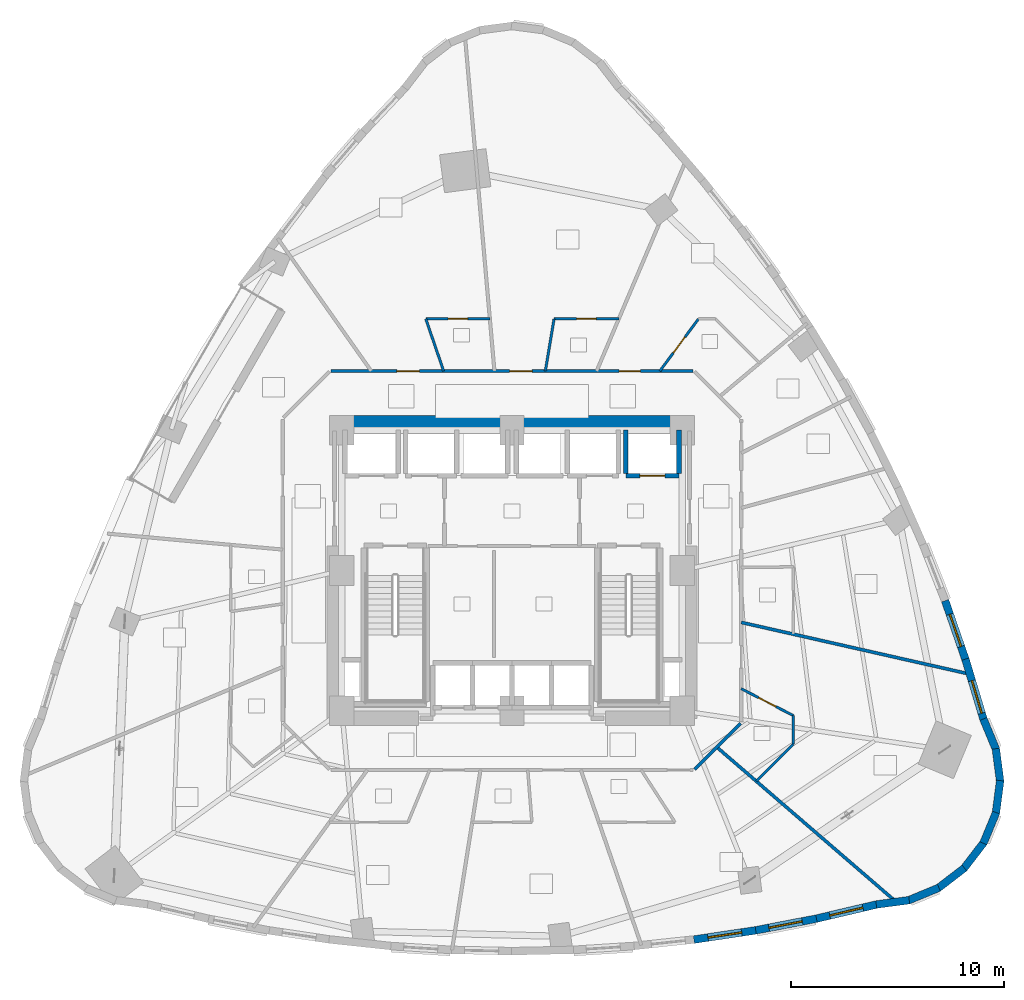
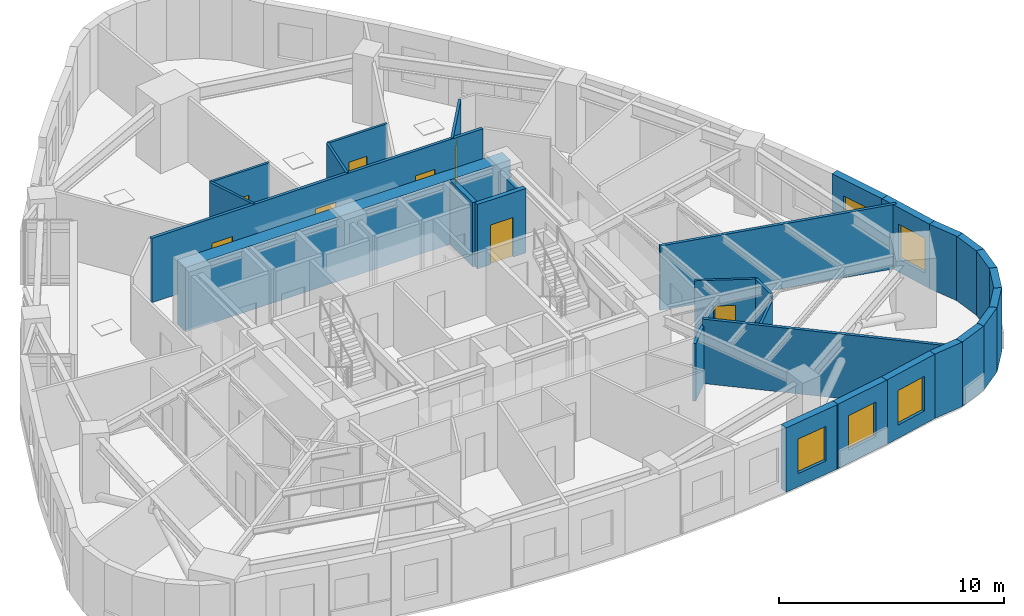
# One storey, part 8 of 13: 29 walls, 8 doors, 5 windows, 13 openings.
"""IFC4 building model written with IfcOpenShell, lengths in metres."""

from ifc_helpers import new_model, si_unit, direction, frame, frame_2d, origin, place, context, subcontext, project, spatial, rectangle, extrude, material, layer, layer_set, type_object, element, fill, save


model = new_model("IFC4")

# Units and contexts
model_context = context("Model", 3, precision=1e-05, world=origin(), true_north=direction((0.0, 1.0)))
body_context = subcontext(model_context, "Body", "Model", "MODEL_VIEW")
ifc_project = project(units=[si_unit("LENGTHUNIT", "METRE"), si_unit("AREAUNIT", "SQUARE_METRE"), si_unit("VOLUMEUNIT", "CUBIC_METRE"), si_unit("PLANEANGLEUNIT", "RADIAN"), si_unit("MASSUNIT", "GRAM", prefix="KILO")], contexts=[model_context])

# Site, building, storey
site_placement = place(None, origin())
site = spatial("IfcSite", under=ifc_project, at=site_placement, CompositionType="ELEMENT")
building_placement = place(site_placement, origin())
building = spatial("IfcBuilding", under=site, at=building_placement, Name="Ndelora Gate Hotel", CompositionType="ELEMENT")
storey_placement = place(building_placement, frame((0.0, 0.0, 34.25)))
storey = spatial("IfcBuildingStorey", under=building, at=storey_placement, Name="L07", CompositionType="ELEMENT", Elevation=34.25)

# Wall, opening, window
ifc_material_1 = material(Name="Clay Brick Masonry", Category="masonry")
ifc_layer_1 = layer(ifc_material_1, 0.360107421875)
ifc_layer_set_1 = layer_set([ifc_layer_1], Name="Clay Brick Masonry")
wall_type_1 = type_object("IfcWallType", Name="WL-BRICK-360", PredefinedType="SOLIDWALL", material=ifc_layer_set_1)
wall_1_placement = place(storey_placement, frame((11.460693359375, -16.92236328125, 0.0), z_axis=(0.0, 0.0, 1.0), x_axis=(-0.988982587095, -0.148031896641, 0.0)))
wall_1 = element("IfcWall", 1, at=wall_1_placement, inside=storey, type_object=wall_type_1, Name="L07 Tower Brick Pier-and-Spandrel Wall TWR-36", PredefinedType="SOLIDWALL", context=body_context, shape_type="SweptSolid", body=[
    extrude(rectangle(XDim=2.940673828125, YDim=0.360107421875, at=frame_2d((1.47021484375, 0.0))), origin(), (0.0, 0.0, 1.0), 3.5),
])
opening_1_placement = place(wall_1_placement, frame((0.67041015625, 0.0, 0.719970703125)))
opening_1 = element("IfcOpeningElement", 2, at=opening_1_placement, cuts=wall_1, Name="Opening W01", PredefinedType="OPENING", context=body_context, shape_type="SweptSolid", body=[
    extrude(rectangle(XDim=1.60009765625, YDim=1.8798828125, at=frame_2d((0.800048828125, 0.93994140625))), frame((0.0, 0.18994140625, 0.0), z_axis=(0.0, -1.0, 0.0), x_axis=(1.0, 0.0, 0.0)), (0.0, 0.0, 1.0), 0.380126953125),
])
ifc_material_2 = material(Name="Insulated Low-E Double Glazing in Bronze Aluminium Frame", Category="aluminium")
window_type_1 = type_object("IfcWindowType", Name="WN-DEEP-1600", PartitioningType="SINGLE_PANEL", PredefinedType="WINDOW", material=ifc_material_2)
window_1_placement = place(opening_1_placement, origin())
window_1 = element("IfcWindow", 3, at=window_1_placement, inside=storey, type_object=window_type_1, Name="L07 Deep-Set Brick-Pier Window W01", OverallHeight=1.8798828125, OverallWidth=1.60009765625, PartitioningType="SINGLE_PANEL", PredefinedType="WINDOW", context=body_context, shape_type="SweptSolid", body=[
    extrude(rectangle(XDim=1.60009765625, YDim=1.8798828125, at=frame_2d((0.800048828125, 0.93994140625))), frame((0.0, 0.030029296875, 0.0), z_axis=(0.0, -1.0, 0.0), x_axis=(1.0, 0.0, 0.0)), (0.0, 0.0, 1.0), 0.06005859375),
])
fill(opening_1, window_1)

wall_2_placement = place(storey_placement, frame((14.319580078125, -16.371337890625, 0.0), z_axis=(0.0, 0.0, 1.0), x_axis=(-0.981984682903, -0.188960531711, 0.0)))
wall_2 = element("IfcWall", 4, at=wall_2_placement, inside=storey, type_object=wall_type_1, Name="L07 Tower Brick Pier-and-Spandrel Wall TWR-37", PredefinedType="SOLIDWALL", context=body_context, shape_type="SweptSolid", body=[
    extrude(rectangle(XDim=2.96142578125, YDim=0.360107421875, at=frame_2d((1.480712890625, 0.0))), origin(), (0.0, 0.0, 1.0), 3.5),
])
opening_2_placement = place(wall_2_placement, frame((0.6806640625, 0.0, 0.719970703125)))
opening_2 = element("IfcOpeningElement", 5, at=opening_2_placement, cuts=wall_2, Name="Opening W03", PredefinedType="OPENING", context=body_context, shape_type="SweptSolid", body=[
    extrude(rectangle(XDim=1.60009765625, YDim=1.8798828125, at=frame_2d((0.800048828125, 0.93994140625))), frame((0.0, 0.18994140625, 0.0), z_axis=(0.0, -1.0, 0.0), x_axis=(1.0, 0.0, 0.0)), (0.0, 0.0, 1.0), 0.380126953125),
])
window_type_2 = type_object("IfcWindowType", Name="WN-CORN-2100", PartitioningType="SINGLE_PANEL", PredefinedType="WINDOW", material=ifc_material_2)
window_2_placement = place(opening_2_placement, origin())
window_2 = element("IfcWindow", 6, at=window_2_placement, inside=storey, type_object=window_type_2, Name="L07 Deep-Set Brick-Pier Window W03", OverallHeight=1.8798828125, OverallWidth=1.60009765625, PartitioningType="SINGLE_PANEL", PredefinedType="WINDOW", context=body_context, shape_type="SweptSolid", body=[
    extrude(rectangle(XDim=1.60009765625, YDim=1.8798828125, at=frame_2d((0.800048828125, 0.93994140625))), frame((0.0, 0.030029296875, 0.0), z_axis=(0.0, -1.0, 0.0), x_axis=(1.0, 0.0, 0.0)), (0.0, 0.0, 1.0), 0.06005859375),
])
fill(opening_2, window_2)

wall_3_placement = place(storey_placement, frame((17.178466796875, -15.6982421875, 0.0), z_axis=(0.0, 0.0, 1.0), x_axis=(-0.973460028485, -0.228857101575, 0.0)))
wall_3 = element("IfcWall", 7, at=wall_3_placement, inside=storey, type_object=wall_type_1, Name="L07 Tower Brick Pier-and-Spandrel Wall TWR-38", PredefinedType="SOLIDWALL", context=body_context, shape_type="SweptSolid", body=[
    extrude(rectangle(XDim=2.987060546875, YDim=0.360107421875, at=frame_2d((1.49365234375, 0.0))), origin(), (0.0, 0.0, 1.0), 3.5),
])
opening_3_placement = place(wall_3_placement, frame((0.693603515625, 0.0, 0.719970703125)))
opening_3 = element("IfcOpeningElement", 8, at=opening_3_placement, cuts=wall_3, Name="Opening W01", PredefinedType="OPENING", context=body_context, shape_type="SweptSolid", body=[
    extrude(rectangle(XDim=1.60009765625, YDim=1.8798828125, at=frame_2d((0.800048828125, 0.93994140625))), frame((0.0, 0.18994140625, 0.0), z_axis=(0.0, -1.0, 0.0), x_axis=(1.0, 0.0, 0.0)), (0.0, 0.0, 1.0), 0.380126953125),
])
window_3_placement = place(opening_3_placement, origin())
window_3 = element("IfcWindow", 9, at=window_3_placement, inside=storey, type_object=window_type_1, Name="L07 Deep-Set Brick-Pier Window W01", OverallHeight=1.8798828125, OverallWidth=1.60009765625, PartitioningType="SINGLE_PANEL", PredefinedType="WINDOW", context=body_context, shape_type="SweptSolid", body=[
    extrude(rectangle(XDim=1.60009765625, YDim=1.8798828125, at=frame_2d((0.800048828125, 0.93994140625))), frame((0.0, 0.030029296875, 0.0), z_axis=(0.0, -1.0, 0.0), x_axis=(1.0, 0.0, 0.0)), (0.0, 0.0, 1.0), 0.06005859375),
])
fill(opening_3, window_3)

# Walls
for number, where, z_axis, x_axis, name in (
    (10, (18.68017578125, -15.5029296875, 0.0), (0.0, 0.0, 1.0), (-0.991429840604, -0.130640235609, 0.0), "L07 Tower Brick Pier-and-Spandrel Wall TWR-39"),
    (11, (20.0771484375, -14.917236328125, 0.0), (0.0, 0.0, 1.0), (-0.923864636245, -0.382719393153, 0.0), "L07 Tower Brick Pier-and-Spandrel Wall TWR-40"),
    (12, (21.275146484375, -13.989990234375, 0.0), (0.0, 0.0, 1.0), (-0.793377694402, -0.608729688799, 0.0), "L07 Tower Brick Pier-and-Spandrel Wall TWR-41"),
    (13, (22.1923828125, -12.7841796875, 0.0), (0.0, 0.0, 1.0), (-0.608903307772, -0.793244452729, 0.0), "L07 Tower Brick Pier-and-Spandrel Wall TWR-42"),
):
    element("IfcWall", number, at=place(storey_placement, frame(where, z_axis=z_axis, x_axis=x_axis)), inside=storey, type_object=wall_type_1, Name=name, PredefinedType="SOLIDWALL", context=body_context, shape_type="SweptSolid", body=[
        extrude(rectangle(XDim=1.564208984375, YDim=0.360107421875, at=frame_2d((0.7822265625, 0.0))), origin(), (0.0, 0.0, 1.0), 3.5),
    ])
wall_4_placement = place(storey_placement, frame((22.76611328125, -11.382080078125, 0.0), z_axis=(0.0, 0.0, 1.0), x_axis=(-0.382774588958, -0.923841768945, 0.0)))
element("IfcWall", 14, at=wall_4_placement, inside=storey, type_object=wall_type_1, Name="L07 Tower Brick Pier-and-Spandrel Wall TWR-43", PredefinedType="SOLIDWALL", context=body_context, shape_type="SweptSolid", body=[
    extrude(rectangle(XDim=1.56396484375, YDim=0.360107421875, at=frame_2d((0.781982421875, 0.0))), origin(), (0.0, 0.0, 1.0), 3.5),
])
for number, where, z_axis, x_axis, name in (
    (15, (22.95751953125, -9.879150390625, 0.0), (0.0, 0.0, 1.0), (-0.130640235609, -0.991429840604, 0.0), "L07 Tower Brick Pier-and-Spandrel Wall TWR-44"),
    (16, (22.753173828125, -8.3779296875, 0.0), (0.0, 0.0, 1.0), (0.130640235609, -0.991429840604, 0.0), "L07 Tower Brick Pier-and-Spandrel Wall TWR-45"),
    (17, (22.16748046875, -6.980712890625, 0.0), (0.0, 0.0, 1.0), (0.382719393153, -0.923864636245, 0.0), "L07 Tower Brick Pier-and-Spandrel Wall TWR-46"),
):
    element("IfcWall", number, at=place(storey_placement, frame(where, z_axis=z_axis, x_axis=x_axis)), inside=storey, type_object=wall_type_1, Name=name, PredefinedType="SOLIDWALL", context=body_context, shape_type="SweptSolid", body=[
        extrude(rectangle(XDim=1.564208984375, YDim=0.360107421875, at=frame_2d((0.7822265625, 0.0))), origin(), (0.0, 0.0, 1.0), 3.5),
    ])

# Wall, opening, window
wall_5_placement = place(storey_placement, frame((21.322509765625, -4.16796875, 0.0), z_axis=(0.0, 0.0, 1.0), x_axis=(0.288532480862, -0.957470107882, 0.0)))
wall_5 = element("IfcWall", 18, at=wall_5_placement, inside=storey, type_object=wall_type_1, Name="L07 Tower Brick Pier-and-Spandrel Wall TWR-47", PredefinedType="SOLIDWALL", context=body_context, shape_type="SweptSolid", body=[
    extrude(rectangle(XDim=2.98681640625, YDim=0.360107421875, at=frame_2d((1.493408203125, 0.0))), origin(), (0.0, 0.0, 1.0), 3.5),
])
opening_4_placement = place(wall_5_placement, frame((1.06005859375, 0.0, 0.719970703125)))
opening_4 = element("IfcOpeningElement", 19, at=opening_4_placement, cuts=wall_5, Name="Opening W01", PredefinedType="OPENING", context=body_context, shape_type="SweptSolid", body=[
    extrude(rectangle(XDim=1.60009765625, YDim=1.8798828125, at=frame_2d((0.800048828125, 0.93994140625))), frame((0.0, 0.18994140625, 0.0), z_axis=(0.0, -1.0, 0.0), x_axis=(1.0, 0.0, 0.0)), (0.0, 0.0, 1.0), 0.380126953125),
])
window_4_placement = place(opening_4_placement, origin())
window_4 = element("IfcWindow", 20, at=window_4_placement, inside=storey, type_object=window_type_1, Name="L07 Deep-Set Brick-Pier Window W01", OverallHeight=1.8798828125, OverallWidth=1.60009765625, PartitioningType="SINGLE_PANEL", PredefinedType="WINDOW", context=body_context, shape_type="SweptSolid", body=[
    extrude(rectangle(XDim=1.60009765625, YDim=1.8798828125, at=frame_2d((0.800048828125, 0.93994140625))), frame((0.0, 0.030029296875, 0.0), z_axis=(0.0, -1.0, 0.0), x_axis=(1.0, 0.0, 0.0)), (0.0, 0.0, 1.0), 0.06005859375),
])
fill(opening_4, window_4)

wall_6_placement = place(storey_placement, frame((20.368408203125, -1.417236328125, 0.0), z_axis=(0.0, 0.0, 1.0), x_axis=(0.327385218266, -0.944890956069, 0.0)))
wall_6 = element("IfcWall", 21, at=wall_6_placement, inside=storey, type_object=wall_type_1, Name="L07 Tower Brick Pier-and-Spandrel Wall TWR-48", PredefinedType="SOLIDWALL", context=body_context, shape_type="SweptSolid", body=[
    extrude(rectangle(XDim=2.961181640625, YDim=0.360107421875, at=frame_2d((1.48046875, 0.0))), origin(), (0.0, 0.0, 1.0), 3.5),
])
opening_5_placement = place(wall_6_placement, frame((0.6806640625, 0.0, 0.719970703125)))
opening_5 = element("IfcOpeningElement", 22, at=opening_5_placement, cuts=wall_6, Name="Opening W01", PredefinedType="OPENING", context=body_context, shape_type="SweptSolid", body=[
    extrude(rectangle(XDim=1.60009765625, YDim=1.8798828125, at=frame_2d((0.800048828125, 0.93994140625))), frame((0.0, 0.18994140625, 0.0), z_axis=(0.0, -1.0, 0.0), x_axis=(1.0, 0.0, 0.0)), (0.0, 0.0, 1.0), 0.380126953125),
])
window_5_placement = place(opening_5_placement, origin())
window_5 = element("IfcWindow", 23, at=window_5_placement, inside=storey, type_object=window_type_1, Name="L07 Deep-Set Brick-Pier Window W01", OverallHeight=1.8798828125, OverallWidth=1.60009765625, PartitioningType="SINGLE_PANEL", PredefinedType="WINDOW", context=body_context, shape_type="SweptSolid", body=[
    extrude(rectangle(XDim=1.60009765625, YDim=1.8798828125, at=frame_2d((0.800048828125, 0.93994140625))), frame((0.0, 0.030029296875, 0.0), z_axis=(0.0, -1.0, 0.0), x_axis=(1.0, 0.0, 0.0)), (0.0, 0.0, 1.0), 0.06005859375),
])
fill(opening_5, window_5)

# Walls
ifc_material_3 = material(Name="Concrete C60/75", Category="concrete")
ifc_layer_2 = layer(ifc_material_3, 0.699951171875)
ifc_layer_set_2 = layer_set([ifc_layer_2], Name="Concrete C60/75")
wall_type_2 = type_object("IfcWallType", Name="WL-CORE-700", PredefinedType="SHEAR", material=ifc_layer_set_2)
wall_7_placement = place(storey_placement, frame((-8.35009765625, 6.949951171875, 0.0), z_axis=(0.0, 0.0, 1.0), x_axis=(1.0, 0.0, 0.0)))
element("IfcWall", 24, at=wall_7_placement, inside=storey, type_object=wall_type_2, Name="L07 Core Shear Wall N", PredefinedType="SHEAR", context=body_context, shape_type="SweptSolid", body=[
    extrude(rectangle(XDim=16.7001953125, YDim=0.699951171875, at=frame_2d((8.35009765625, 0.0))), origin(), (0.0, 0.0, 1.0), 3.5),
])
ifc_material_4 = material(Name="Fire-Rated Gypsum Stud Partition", Category="gypsum")
ifc_layer_3 = layer(ifc_material_4, 0.14990234375)
ifc_layer_set_3 = layer_set([ifc_layer_3], Name="Fire-Rated Gypsum Stud Partition")
wall_type_3 = type_object("IfcWallType", Name="WL-PART-150", PredefinedType="PARTITIONING", material=ifc_layer_set_3)
wall_8_placement = place(storey_placement, frame((10.751708984375, -7.17822265625, 0.0), z_axis=(0.0, 0.0, 1.0), x_axis=(-0.707067066127, -0.707146494016, 0.0)))
element("IfcWall", 25, at=wall_8_placement, inside=storey, type_object=wall_type_3, Name="L07 Interior Wall IW-5", PredefinedType="PARTITIONING", context=body_context, shape_type="SweptSolid", body=[
    extrude(rectangle(XDim=3.07373046875, YDim=0.14990234375, at=frame_2d((1.536865234375, 0.0))), origin(), (0.0, 0.0, 1.0), 3.1201171875),
])

# Wall, openings, doors
wall_9_placement = place(storey_placement, frame((-8.510009765625, 9.3798828125, 0.0), z_axis=(0.0, 0.0, 1.0), x_axis=(1.0, 0.0, 0.0)))
wall_9 = element("IfcWall", 26, at=wall_9_placement, inside=storey, type_object=wall_type_3, Name="L07 Interior Wall IW-5", PredefinedType="PARTITIONING", context=body_context, shape_type="SweptSolid", body=[
    extrude(rectangle(XDim=17.02001953125, YDim=0.14990234375, at=frame_2d((8.510009765625, 0.0))), origin(), (0.0, 0.0, 1.0), 3.5),
])
opening_6_placement = place(wall_9_placement, frame((13.54541015625, 0.0, 0.0)))
opening_6 = element("IfcOpeningElement", 27, at=opening_6_placement, cuts=wall_9, Name="Opening D01", PredefinedType="OPENING", context=body_context, shape_type="SweptSolid", body=[
    extrude(rectangle(XDim=1.0, YDim=2.14990234375, at=frame_2d((0.5, 1.074951171875))), frame((0.0, 0.0849609375, 0.0), z_axis=(0.0, -1.0, 0.0), x_axis=(1.0, 0.0, 0.0)), (0.0, 0.0, 1.0), 0.169921875),
])
opening_7_placement = place(wall_9_placement, frame((3.094970703125, 0.0, 0.0)))
opening_7 = element("IfcOpeningElement", 28, at=opening_7_placement, cuts=wall_9, Name="Opening D07", PredefinedType="OPENING", context=body_context, shape_type="SweptSolid", body=[
    extrude(rectangle(XDim=1.06005859375, YDim=2.14990234375, at=frame_2d((0.530029296875, 1.074951171875))), frame((0.0, 0.0849609375, 0.0), z_axis=(0.0, -1.0, 0.0), x_axis=(1.0, 0.0, 0.0)), (0.0, 0.0, 1.0), 0.169921875),
])
opening_8_placement = place(wall_9_placement, frame((8.40185546875, 0.0, 0.0)))
opening_8 = element("IfcOpeningElement", 29, at=opening_8_placement, cuts=wall_9, Name="Opening D07", PredefinedType="OPENING", context=body_context, shape_type="SweptSolid", body=[
    extrude(rectangle(XDim=1.06005859375, YDim=2.14990234375, at=frame_2d((0.530029296875, 1.074951171875))), frame((0.0, 0.0849609375, 0.0), z_axis=(0.0, -1.0, 0.0), x_axis=(1.0, 0.0, 0.0)), (0.0, 0.0, 1.0), 0.169921875),
])
ifc_material_5 = material(Name="Acoustic Hardwood Guest Entrance Door", Category="wood")
door_type_1 = type_object("IfcDoorType", Name="DR-COR-1000", OperationType="SINGLE_SWING_LEFT", PredefinedType="DOOR", material=ifc_material_5)
door_1_placement = place(opening_6_placement, origin())
door_1 = element("IfcDoor", 30, at=door_1_placement, inside=storey, type_object=door_type_1, Name="L07 Deluxe King Guest Room 1001 Entrance Door", OperationType="SINGLE_SWING_RIGHT", OverallHeight=2.14990234375, OverallWidth=1.0, PredefinedType="DOOR", context=body_context, shape_type="SweptSolid", body=[
    extrude(rectangle(XDim=1.0, YDim=2.14990234375, at=frame_2d((0.5, 1.074951171875))), frame((0.0, 0.02490234375, 0.0), z_axis=(0.0, -1.0, 0.0), x_axis=(1.0, 0.0, 0.0)), (0.0, 0.0, 1.0), 0.050048828125),
])
fill(opening_6, door_1)
ifc_material_6 = material(Name="Diplomatic Suite Acoustic Entrance Door", Category="wood")
door_type_2 = type_object("IfcDoorType", Name="DR-SUITE-1060", OperationType="SINGLE_SWING_LEFT", PredefinedType="DOOR", material=ifc_material_6)
door_2_placement = place(opening_7_placement, origin())
door_2 = element("IfcDoor", 31, at=door_2_placement, inside=storey, type_object=door_type_2, Name="L07 Corner Junior Suite 1003 Entrance Door", OperationType="SINGLE_SWING_LEFT", OverallHeight=2.14990234375, OverallWidth=1.06005859375, PredefinedType="DOOR", context=body_context, shape_type="SweptSolid", body=[
    extrude(rectangle(XDim=1.06005859375, YDim=2.14990234375, at=frame_2d((0.530029296875, 1.074951171875))), frame((0.0, 0.02490234375, 0.0), z_axis=(0.0, -1.0, 0.0), x_axis=(1.0, 0.0, 0.0)), (0.0, 0.0, 1.0), 0.050048828125),
])
fill(opening_7, door_2)
door_3_placement = place(opening_8_placement, origin())
door_3 = element("IfcDoor", 32, at=door_3_placement, inside=storey, type_object=door_type_2, Name="L07 Twin Junior Suite 1002 Entrance Door", OperationType="SINGLE_SWING_RIGHT", OverallHeight=2.14990234375, OverallWidth=1.06005859375, PredefinedType="DOOR", context=body_context, shape_type="SweptSolid", body=[
    extrude(rectangle(XDim=1.06005859375, YDim=2.14990234375, at=frame_2d((0.530029296875, 1.074951171875))), frame((0.0, 0.02490234375, 0.0), z_axis=(0.0, -1.0, 0.0), x_axis=(1.0, 0.0, 0.0)), (0.0, 0.0, 1.0), 0.050048828125),
])
fill(opening_8, door_3)

# Walls
wall_10_placement = place(storey_placement, frame((9.626708984375, -8.30322265625, 0.0), z_axis=(0.0, 0.0, 1.0), x_axis=(0.757238499589, -0.653138465212, 0.0)))
element("IfcWall", 33, at=wall_10_placement, inside=storey, type_object=wall_type_3, Name="L07 Interior Wall IW-5", PredefinedType="PARTITIONING", context=body_context, shape_type="SweptSolid", body=[
    extrude(rectangle(XDim=11.14697265625, YDim=0.14990234375, at=frame_2d((5.573486328125, 0.0))), origin(), (0.0, 0.0, 1.0), 3.5),
])
wall_11_placement = place(storey_placement, frame((10.780029296875, -2.440185546875, 0.0), z_axis=(0.0, 0.0, 1.0), x_axis=(0.97532517317, -0.220773201681, 0.0)))
element("IfcWall", 34, at=wall_11_placement, inside=storey, type_object=wall_type_3, Name="L07 Interior Wall IW-5", PredefinedType="PARTITIONING", context=body_context, shape_type="SweptSolid", body=[
    extrude(rectangle(XDim=11.027587890625, YDim=0.14990234375, at=frame_2d((5.513671875, 0.0))), origin(), (0.0, 0.0, 1.0), 3.5),
])

# Wall, opening, door
ifc_material_7 = material(Name="Concrete C40/50", Category="concrete")
ifc_layer_4 = layer(ifc_material_7, 0.219970703125)
ifc_layer_set_4 = layer_set([ifc_layer_4], Name="Concrete C40/50")
wall_type_4 = type_object("IfcWallType", Name="WL-SHAFT-220", PredefinedType="PARTITIONING", material=ifc_layer_set_4)
wall_12_placement = place(storey_placement, frame((5.35009765625, 4.449951171875, 0.0), z_axis=(0.0, 0.0, 1.0), x_axis=(1.0, 0.0, 0.0)))
wall_12 = element("IfcWall", 35, at=wall_12_placement, inside=storey, type_object=wall_type_4, Name="L07 Interior Wall IW-1", PredefinedType="PARTITIONING", context=body_context, shape_type="SweptSolid", body=[
    extrude(rectangle(XDim=2.5, YDim=0.219970703125, at=frame_2d((1.25, 0.0))), origin(), (0.0, 0.0, 1.0), 3.5),
])
opening_9_placement = place(wall_12_placement, frame((0.659912109375, 0.0, 0.0)))
opening_9 = element("IfcOpeningElement", 36, at=opening_9_placement, cuts=wall_12, Name="Opening LD5", PredefinedType="OPENING", context=body_context, shape_type="SweptSolid", body=[
    extrude(rectangle(XDim=1.179931640625, YDim=2.14990234375, at=frame_2d((0.58984375, 1.074951171875))), frame((0.0, 0.1201171875, 0.0), z_axis=(0.0, -1.0, 0.0), x_axis=(1.0, 0.0, 0.0)), (0.0, 0.0, 1.0), 0.239990234375),
])
ifc_material_8 = material(Name="Firefighting Lift Stainless Sliding Landing Door", Category="metal")
door_type_3 = type_object("IfcDoorType", Name="DR-LD5", OperationType="DOUBLE_DOOR_SLIDING", PredefinedType="DOOR", material=ifc_material_8)
door_4_placement = place(opening_9_placement, origin())
door_4 = element("IfcDoor", 37, at=door_4_placement, inside=storey, type_object=door_type_3, Name="L07 Lift Landing Sliding Door FFL2", OperationType="DOUBLE_DOOR_SLIDING", OverallHeight=2.14990234375, OverallWidth=1.179931640625, PredefinedType="DOOR", context=body_context, shape_type="SweptSolid", body=[
    extrude(rectangle(XDim=1.179931640625, YDim=2.14990234375, at=frame_2d((0.58984375, 1.074951171875))), frame((0.0, 0.02490234375, 0.0), z_axis=(0.0, -1.0, 0.0), x_axis=(1.0, 0.0, 0.0)), (0.0, 0.0, 1.0), 0.050048828125),
])
fill(opening_9, door_4)

# Walls
wall_13_placement = place(storey_placement, frame((5.35009765625, 4.570068359375, 0.0), z_axis=(0.0, 0.0, 1.0), x_axis=(0.0, 1.0, 0.0)))
element("IfcWall", 38, at=wall_13_placement, inside=storey, type_object=wall_type_4, Name="L07 Interior Wall IW-1", PredefinedType="PARTITIONING", context=body_context, shape_type="SweptSolid", body=[
    extrude(rectangle(XDim=2.030029296875, YDim=0.219970703125, at=frame_2d((1.01513671875, 0.0))), origin(), (0.0, 0.0, 1.0), 3.5),
])
wall_14_placement = place(storey_placement, frame((7.85009765625, 4.570068359375, 0.0), z_axis=(0.0, 0.0, 1.0), x_axis=(0.0, 1.0, 0.0)))
element("IfcWall", 39, at=wall_14_placement, inside=storey, type_object=wall_type_4, Name="L07 Interior Wall IW-1", PredefinedType="PARTITIONING", context=body_context, shape_type="SweptSolid", body=[
    extrude(rectangle(XDim=2.030029296875, YDim=0.219970703125, at=frame_2d((1.01513671875, 0.0))), origin(), (0.0, 0.0, 1.0), 3.080078125),
])

# Wall, opening, door
ifc_material_9 = material(Name="Moisture-Resistant Bathroom Tile Partition", Category="gypsum")
ifc_layer_5 = layer(ifc_material_9, 0.1201171875)
ifc_layer_set_5 = layer_set([ifc_layer_5], Name="Moisture-Resistant Bathroom Tile Partition")
wall_type_5 = type_object("IfcWallType", Name="WL-WET-120", PredefinedType="PARTITIONING", material=ifc_layer_set_5)
wall_15_placement = place(storey_placement, frame((6.952392578125, 9.3798828125, 0.0), z_axis=(0.0, 0.0, 1.0), x_axis=(0.595378789074, 0.80344514282, 0.0)))
wall_15 = element("IfcWall", 40, at=wall_15_placement, inside=storey, type_object=wall_type_5, Name="L07 Interior Wall IW-7", PredefinedType="PARTITIONING", context=body_context, shape_type="SweptSolid", body=[
    extrude(rectangle(XDim=3.049560546875, YDim=0.1201171875, at=frame_2d((1.52490234375, 0.0))), origin(), (0.0, 0.0, 1.0), 3.5),
])
opening_10_placement = place(wall_15_placement, frame((1.064697265625, 0.0, 0.0)))
opening_10 = element("IfcOpeningElement", 41, at=opening_10_placement, cuts=wall_15, Name="Opening D03", PredefinedType="OPENING", context=body_context, shape_type="SweptSolid", body=[
    extrude(rectangle(XDim=0.919921875, YDim=2.10009765625, at=frame_2d((0.4599609375, 1.050048828125))), frame((0.0, 0.070068359375, 0.0), z_axis=(0.0, -1.0, 0.0), x_axis=(1.0, 0.0, 0.0)), (0.0, 0.0, 1.0), 0.14013671875),
])
ifc_material_10 = material(Name="Moisture-Resistant Hardwood En-Suite Door", Category="wood")
door_type_4 = type_object("IfcDoorType", Name="DR-BATH-920", OperationType="SINGLE_SWING_LEFT", PredefinedType="DOOR", material=ifc_material_10)
door_5_placement = place(opening_10_placement, origin())
door_5 = element("IfcDoor", 42, at=door_5_placement, inside=storey, type_object=door_type_4, Name="L07 En-suite Bathroom 1001 Door", OperationType="SINGLE_SWING_RIGHT", OverallHeight=2.10009765625, OverallWidth=0.919921875, PredefinedType="DOOR", context=body_context, shape_type="SweptSolid", body=[
    extrude(rectangle(XDim=0.919921875, YDim=2.10009765625, at=frame_2d((0.4599609375, 1.050048828125))), frame((0.0, 0.02490234375, 0.0), z_axis=(0.0, -1.0, 0.0), x_axis=(1.0, 0.0, 0.0)), (0.0, 0.0, 1.0), 0.050048828125),
])
fill(opening_10, door_5)

# Wall
wall_16_placement = place(storey_placement, frame((1.568603515625, 9.3798828125, 0.0), z_axis=(0.0, 0.0, 1.0), x_axis=(0.165004545821, 0.98629280635, 0.0)))
element("IfcWall", 43, at=wall_16_placement, inside=storey, type_object=wall_type_5, Name="L07 Interior Wall IW-7", PredefinedType="PARTITIONING", context=body_context, shape_type="SweptSolid", body=[
    extrude(rectangle(XDim=2.484130859375, YDim=0.1201171875, at=frame_2d((1.2421875, 0.0))), origin(), (0.0, 0.0, 1.0), 3.5),
])

# Wall, opening, door
wall_17_placement = place(storey_placement, frame((1.978515625, 11.830078125, 0.0), z_axis=(0.0, 0.0, 1.0), x_axis=(1.0, 0.0, 0.0)))
wall_17 = element("IfcWall", 44, at=wall_17_placement, inside=storey, type_object=wall_type_5, Name="L07 Interior Wall IW-7", PredefinedType="PARTITIONING", context=body_context, shape_type="SweptSolid", body=[
    extrude(rectangle(XDim=3.04150390625, YDim=0.1201171875, at=frame_2d((1.520751953125, 0.0))), origin(), (0.0, 0.0, 1.0), 3.5),
])
opening_11_placement = place(wall_17_placement, frame((1.060791015625, 0.0, 0.0)))
opening_11 = element("IfcOpeningElement", 45, at=opening_11_placement, cuts=wall_17, Name="Opening D03", PredefinedType="OPENING", context=body_context, shape_type="SweptSolid", body=[
    extrude(rectangle(XDim=0.919921875, YDim=2.10009765625, at=frame_2d((0.4599609375, 1.050048828125))), frame((0.0, 0.070068359375, 0.0), z_axis=(0.0, -1.0, 0.0), x_axis=(1.0, 0.0, 0.0)), (0.0, 0.0, 1.0), 0.14013671875),
])
door_6_placement = place(opening_11_placement, origin())
door_6 = element("IfcDoor", 46, at=door_6_placement, inside=storey, type_object=door_type_4, Name="L07 En-suite Bathroom 1002 Door", OperationType="SINGLE_SWING_LEFT", OverallHeight=2.10009765625, OverallWidth=0.919921875, PredefinedType="DOOR", context=body_context, shape_type="SweptSolid", body=[
    extrude(rectangle(XDim=0.919921875, YDim=2.10009765625, at=frame_2d((0.4599609375, 1.050048828125))), frame((0.0, 0.02490234375, 0.0), z_axis=(0.0, -1.0, 0.0), x_axis=(1.0, 0.0, 0.0)), (0.0, 0.0, 1.0), 0.050048828125),
])
fill(opening_11, door_6)

# Wall
wall_18_placement = place(storey_placement, frame((-4.05322265625, 11.830078125, 0.0), z_axis=(0.0, 0.0, 1.0), x_axis=(0.324078497959, -0.946030193578, 0.0)))
element("IfcWall", 47, at=wall_18_placement, inside=storey, type_object=wall_type_5, Name="L07 Interior Wall IW-7", PredefinedType="PARTITIONING", context=body_context, shape_type="SweptSolid", body=[
    extrude(rectangle(XDim=2.590087890625, YDim=0.1201171875, at=frame_2d((1.294921875, 0.0))), origin(), (0.0, 0.0, 1.0), 3.5),
])

# Wall, opening, door
wall_19_placement = place(storey_placement, frame((-4.05322265625, 11.830078125, 0.0), z_axis=(0.0, 0.0, 1.0), x_axis=(1.0, 0.0, 0.0)))
wall_19 = element("IfcWall", 48, at=wall_19_placement, inside=storey, type_object=wall_type_5, Name="L07 Interior Wall IW-7", PredefinedType="PARTITIONING", context=body_context, shape_type="SweptSolid", body=[
    extrude(rectangle(XDim=3.011962890625, YDim=0.1201171875, at=frame_2d((1.505859375, 0.0))), origin(), (0.0, 0.0, 1.0), 3.5),
])
opening_12_placement = place(wall_19_placement, frame((1.0458984375, 0.0, 0.0)))
opening_12 = element("IfcOpeningElement", 49, at=opening_12_placement, cuts=wall_19, Name="Opening D03", PredefinedType="OPENING", context=body_context, shape_type="SweptSolid", body=[
    extrude(rectangle(XDim=0.919921875, YDim=2.10009765625, at=frame_2d((0.4599609375, 1.050048828125))), frame((0.0, 0.070068359375, 0.0), z_axis=(0.0, -1.0, 0.0), x_axis=(1.0, 0.0, 0.0)), (0.0, 0.0, 1.0), 0.14013671875),
])
door_7_placement = place(opening_12_placement, origin())
door_7 = element("IfcDoor", 50, at=door_7_placement, inside=storey, type_object=door_type_4, Name="L07 En-suite Bathroom 1003 Door", OperationType="SINGLE_SWING_RIGHT", OverallHeight=2.10009765625, OverallWidth=0.919921875, PredefinedType="DOOR", context=body_context, shape_type="SweptSolid", body=[
    extrude(rectangle(XDim=0.919921875, YDim=2.10009765625, at=frame_2d((0.4599609375, 1.050048828125))), frame((0.0, 0.02490234375, 0.0), z_axis=(0.0, -1.0, 0.0), x_axis=(1.0, 0.0, 0.0)), (0.0, 0.0, 1.0), 0.050048828125),
])
fill(opening_12, door_7)

wall_20_placement = place(storey_placement, frame((10.780029296875, -5.558837890625, 0.0), z_axis=(0.0, 0.0, 1.0), x_axis=(0.888777799958, -0.458338327333, 0.0)))
wall_20 = element("IfcWall", 51, at=wall_20_placement, inside=storey, type_object=wall_type_5, Name="L07 Interior Wall IW-7", PredefinedType="PARTITIONING", context=body_context, shape_type="SweptSolid", body=[
    extrude(rectangle(XDim=2.756591796875, YDim=0.1201171875, at=frame_2d((1.37841796875, 0.0))), origin(), (0.0, 0.0, 1.0), 3.5),
])
opening_13_placement = place(wall_20_placement, frame((0.918212890625, 0.0, 0.0)))
opening_13 = element("IfcOpeningElement", 52, at=opening_13_placement, cuts=wall_20, Name="Opening D03", PredefinedType="OPENING", context=body_context, shape_type="SweptSolid", body=[
    extrude(rectangle(XDim=0.919921875, YDim=2.10009765625, at=frame_2d((0.4599609375, 1.050048828125))), frame((0.0, 0.070068359375, 0.0), z_axis=(0.0, -1.0, 0.0), x_axis=(1.0, 0.0, 0.0)), (0.0, 0.0, 1.0), 0.14013671875),
])
door_8_placement = place(opening_13_placement, origin())
door_8 = element("IfcDoor", 53, at=door_8_placement, inside=storey, type_object=door_type_4, Name="L07 En-suite Bathroom 1009 Door", OperationType="SINGLE_SWING_RIGHT", OverallHeight=2.10009765625, OverallWidth=0.919921875, PredefinedType="DOOR", context=body_context, shape_type="SweptSolid", body=[
    extrude(rectangle(XDim=0.919921875, YDim=2.10009765625, at=frame_2d((0.4599609375, 1.050048828125))), frame((0.0, 0.02490234375, 0.0), z_axis=(0.0, -1.0, 0.0), x_axis=(1.0, 0.0, 0.0)), (0.0, 0.0, 1.0), 0.050048828125),
])
fill(opening_13, door_8)

# Walls
wall_21_placement = place(storey_placement, frame((13.22998046875, -6.822265625, 0.0), z_axis=(0.0, 0.0, 1.0), x_axis=(0.0, -1.0, 0.0)))
element("IfcWall", 54, at=wall_21_placement, inside=storey, type_object=wall_type_5, Name="L07 Interior Wall IW-7", PredefinedType="PARTITIONING", context=body_context, shape_type="SweptSolid", body=[
    extrude(rectangle(XDim=1.342529296875, YDim=0.1201171875, at=frame_2d((0.67138671875, 0.0))), origin(), (0.0, 0.0, 1.0), 3.5),
])
wall_22_placement = place(storey_placement, frame((13.22998046875, -8.164794921875, 0.0), z_axis=(0.0, 0.0, 1.0), x_axis=(-0.707106781187, -0.707106781187, 0.0)))
element("IfcWall", 55, at=wall_22_placement, inside=storey, type_object=wall_type_5, Name="L07 Interior Wall IW-7", PredefinedType="PARTITIONING", context=body_context, shape_type="SweptSolid", body=[
    extrude(rectangle(XDim=2.46484375, YDim=0.1201171875, at=frame_2d((1.232421875, 0.0))), origin(), (0.0, 0.0, 1.0), 3.1201171875),
])

save(model, "model.ifc")
